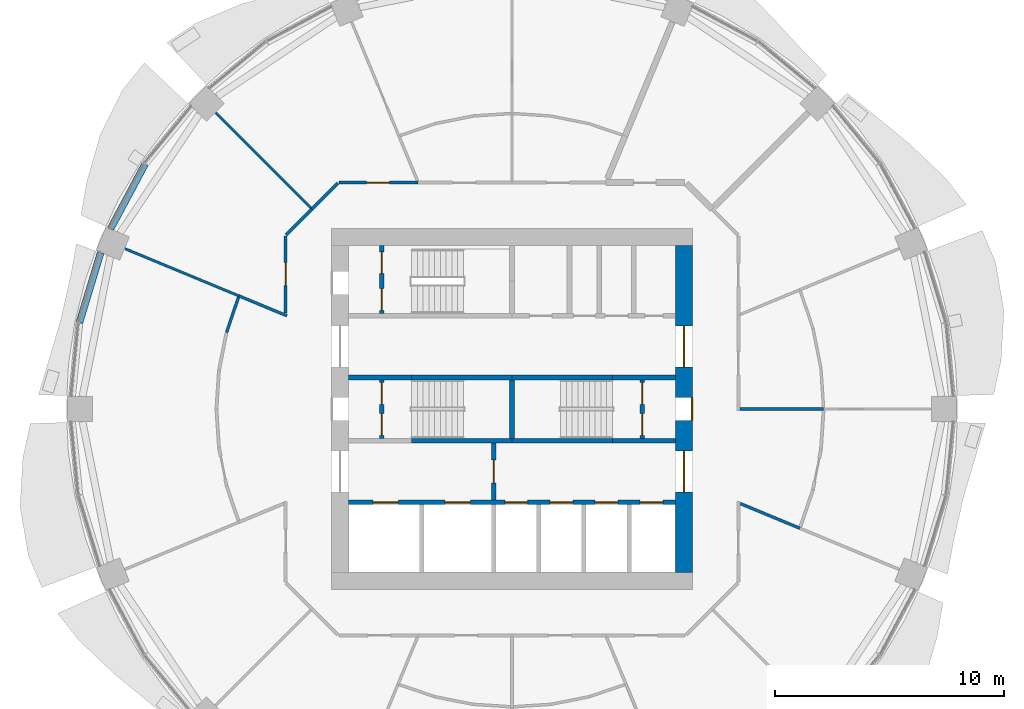
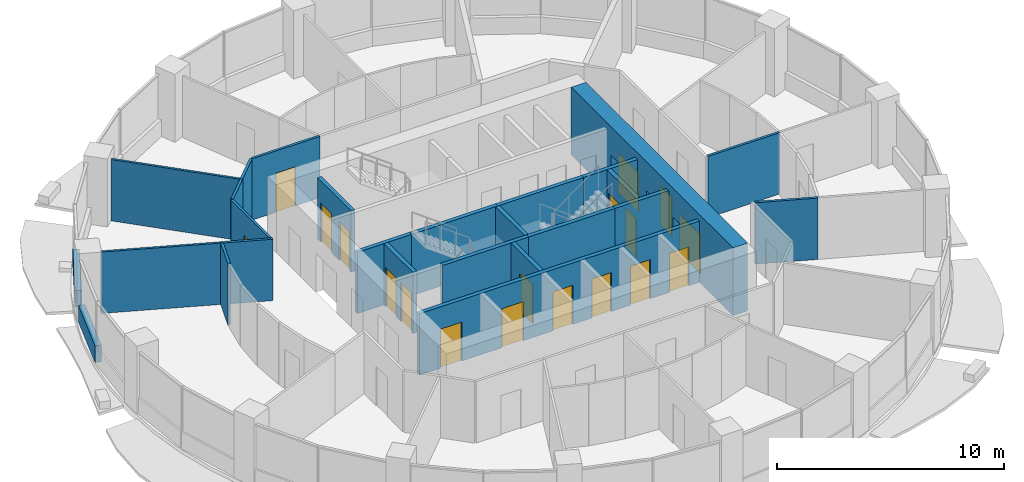
# One storey, part 9 of 15: 26 walls, 18 doors, 18 openings.
"""IFC4 building model written with IfcOpenShell, lengths in metres."""

from ifc_helpers import new_model, si_unit, direction, frame, frame_2d, origin, place, context, subcontext, project, spatial, rectangle, extrude, material, layer, layer_set, type_object, element, fill, save


model = new_model("IFC4")

# Units and contexts
model_context = context("Model", 3, precision=1e-05, world=origin(), true_north=direction((0.0, 1.0)))
body_context = subcontext(model_context, "Body", "Model", "MODEL_VIEW")
ifc_project = project(units=[si_unit("LENGTHUNIT", "METRE"), si_unit("AREAUNIT", "SQUARE_METRE"), si_unit("VOLUMEUNIT", "CUBIC_METRE"), si_unit("PLANEANGLEUNIT", "RADIAN"), si_unit("MASSUNIT", "GRAM", prefix="KILO")], contexts=[model_context])

# Site, building, storey
site_placement = place(None, origin())
site = spatial("IfcSite", under=ifc_project, at=site_placement, CompositionType="ELEMENT")
building_placement = place(site_placement, origin())
building = spatial("IfcBuilding", under=site, at=building_placement, Name="Polderwave Tower", CompositionType="ELEMENT")
storey_placement = place(building_placement, frame((0.0, 0.0, 76.39990234375)))
storey = spatial("IfcBuildingStorey", under=building, at=storey_placement, Name="L19", CompositionType="ELEMENT", Elevation=76.39990234375)

# Wall, openings, doors
ifc_material_1 = material(Name="Concrete C70/85", Category="concrete")
ifc_layer_1 = layer(ifc_material_1, 0.75)
ifc_layer_set_1 = layer_set([ifc_layer_1], Name="CORE WALL 750 C70/85")
wall_type_1 = type_object("IfcWallType", Name="CORE WALL 750 C70/85", PredefinedType="SHEAR", material=ifc_layer_set_1)
wall_1_placement = place(storey_placement, frame((7.4990234375, -7.1240234375, 0.0), z_axis=(0.0, 0.0, 1.0), x_axis=(0.0, 1.0, 0.0)))
wall_1 = element("IfcWall", 1, at=wall_1_placement, inside=storey, type_object=wall_type_1, Name="ST-CORE-L19-E", PredefinedType="SHEAR", context=body_context, shape_type="SweptSolid", body=[
    extrude(rectangle(XDim=14.248046875, YDim=0.75, at=frame_2d((7.1240234375, 0.0))), origin(), (0.0, 0.0, 1.0), 3.650146484375),
])
opening_1_placement = place(wall_1_placement, frame((6.6240234375, 0.0, 0.0)))
opening_1 = element("IfcOpeningElement", 2, at=opening_1_placement, cuts=wall_1, Name="Opening L19-D22", PredefinedType="OPENING", context=body_context, shape_type="SweptSolid", body=[
    extrude(rectangle(XDim=1.0, YDim=2.10009765625, at=frame_2d((0.5, 1.050048828125))), frame((0.0, 0.385009765625, 0.0), z_axis=(0.0, -1.0, 0.0), x_axis=(1.0, 0.0, 0.0)), (0.0, 0.0, 1.0), 0.77001953125),
])
opening_2_placement = place(wall_1_placement, frame((3.49951171875, 0.0, 0.0)))
opening_2 = element("IfcOpeningElement", 3, at=opening_2_placement, cuts=wall_1, Name="Opening L19-D23", PredefinedType="OPENING", context=body_context, shape_type="SweptSolid", body=[
    extrude(rectangle(XDim=1.800048828125, YDim=2.10009765625, at=frame_2d((0.89990234375, 1.050048828125))), frame((0.0, 0.385009765625, 0.0), z_axis=(0.0, -1.0, 0.0), x_axis=(1.0, 0.0, 0.0)), (0.0, 0.0, 1.0), 0.77001953125),
])
opening_3_placement = place(wall_1_placement, frame((8.948486328125, 0.0, 0.0)))
opening_3 = element("IfcOpeningElement", 4, at=opening_3_placement, cuts=wall_1, Name="Opening L19-D24", PredefinedType="OPENING", context=body_context, shape_type="SweptSolid", body=[
    extrude(rectangle(XDim=1.800048828125, YDim=2.10009765625, at=frame_2d((0.89990234375, 1.050048828125))), frame((0.0, 0.385009765625, 0.0), z_axis=(0.0, -1.0, 0.0), x_axis=(1.0, 0.0, 0.0)), (0.0, 0.0, 1.0), 0.77001953125),
])
ifc_material_2 = material(Name="Steel fire door", Category="steel")
door_type_1 = type_object("IfcDoorType", Name="Lobby entry door pair 1800", OperationType="DOUBLE_DOOR_SINGLE_SWING", PredefinedType="DOOR", material=ifc_material_2)
door_1_placement = place(opening_2_placement, frame((1.800048828125, 0.0, 0.0), z_axis=(0.0, 0.0, 1.0), x_axis=(-1.0, 0.0, 0.0)))
door_1 = element("IfcDoor", 5, at=door_1_placement, inside=storey, type_object=door_type_1, Name="South lobby entry door", OperationType="DOUBLE_DOOR_SINGLE_SWING", OverallHeight=2.10009765625, OverallWidth=1.800048828125, PredefinedType="DOOR", context=body_context, shape_type="SweptSolid", body=[
    extrude(rectangle(XDim=1.800048828125, YDim=2.10009765625, at=frame_2d((0.89990234375, 1.050048828125))), frame((0.0, 0.02490234375, 0.0), z_axis=(0.0, -1.0, 0.0), x_axis=(1.0, 0.0, 0.0)), (0.0, 0.0, 1.0), 0.050048828125),
])
fill(opening_2, door_1)
door_2_placement = place(opening_3_placement, frame((1.800048828125, 0.0, 0.0), z_axis=(0.0, 0.0, 1.0), x_axis=(-1.0, 0.0, 0.0)))
door_2 = element("IfcDoor", 6, at=door_2_placement, inside=storey, type_object=door_type_1, Name="North lobby entry door", OperationType="DOUBLE_DOOR_SINGLE_SWING", OverallHeight=2.10009765625, OverallWidth=1.800048828125, PredefinedType="DOOR", context=body_context, shape_type="SweptSolid", body=[
    extrude(rectangle(XDim=1.800048828125, YDim=2.10009765625, at=frame_2d((0.89990234375, 1.050048828125))), frame((0.0, 0.02490234375, 0.0), z_axis=(0.0, -1.0, 0.0), x_axis=(1.0, 0.0, 0.0)), (0.0, 0.0, 1.0), 0.050048828125),
])
fill(opening_3, door_2)
door_type_2 = type_object("IfcDoorType", Name="Stair door 1000", OperationType="NOTDEFINED", PredefinedType="DOOR", material=ifc_material_2)
door_3_placement = place(opening_1_placement, frame((1.0, 0.0, 0.0), z_axis=(0.0, 0.0, 1.0), x_axis=(-1.0, 0.0, 0.0)))
door_3 = element("IfcDoor", 7, at=door_3_placement, inside=storey, type_object=door_type_2, Name="Stair B entry door", OperationType="SINGLE_SWING_LEFT", OverallHeight=2.10009765625, OverallWidth=1.0, PredefinedType="DOOR", context=body_context, shape_type="SweptSolid", body=[
    extrude(rectangle(XDim=1.0, YDim=2.10009765625, at=frame_2d((0.5, 1.050048828125))), frame((0.0, 0.375, 0.0), z_axis=(0.0, -1.0, 0.0), x_axis=(1.0, 0.0, 0.0)), (0.0, 0.0, 1.0), 0.050048828125),
])
fill(opening_1, door_3)

# Walls
ifc_material_3 = material(Name="Concrete C50/60 (board-marked)", Category="concrete")
ifc_layer_2 = layer(ifc_material_3, 0.300048828125)
ifc_layer_set_2 = layer_set([ifc_layer_2], Name="Concrete spandrel upstand C50/60")
wall_type_2 = type_object("IfcWallType", Name="Concrete spandrel upstand C50/60", PredefinedType="SOLIDWALL", material=ifc_layer_set_2)
wall_2_placement = place(storey_placement, frame((-16.004150390625, 10.67578125, 0.0), z_axis=(0.0, 0.0, 1.0), x_axis=(-0.471354692163, -0.8819437364, 0.0)))
element("IfcWall", 8, at=wall_2_placement, inside=storey, type_object=wall_type_2, Name="Spandrel L19 7b", PredefinedType="SOLIDWALL", context=body_context, shape_type="SweptSolid", body=[
    extrude(rectangle(XDim=3.190185546875, YDim=0.300048828125, at=frame_2d((1.59521484375, 0.0))), origin(), (0.0, 0.0, 1.0), 0.900146484375),
])
wall_3_placement = place(storey_placement, frame((-17.939453125, 6.820556640625, 0.0), z_axis=(0.0, 0.0, 1.0), x_axis=(-0.290238876314, -0.956954228099, 0.0)))
element("IfcWall", 9, at=wall_3_placement, inside=storey, type_object=wall_type_2, Name="Spandrel L19 8a", PredefinedType="SOLIDWALL", context=body_context, shape_type="SweptSolid", body=[
    extrude(rectangle(XDim=3.190673828125, YDim=0.300048828125, at=frame_2d((1.59521484375, 0.0))), origin(), (0.0, 0.0, 1.0), 0.900146484375),
])

# Wall, opening, door
ifc_material_4 = material(Name="Gypsum board partition")
ifc_layer_3 = layer(ifc_material_4, 0.199951171875)
ifc_layer_set_3 = layer_set([ifc_layer_3], Name="Core room partition 200")
wall_type_3 = type_object("IfcWallType", Name="Core room partition 200", PredefinedType="PARTITIONING", material=ifc_layer_set_3)
wall_4_placement = place(storey_placement, frame((-0.800048828125, -3.97412109375, 0.0), z_axis=(0.0, 0.0, 1.0), x_axis=(0.0, 1.0, 0.0)))
wall_4 = element("IfcWall", 10, at=wall_4_placement, inside=storey, type_object=wall_type_3, Name="L19 fire-fighting lobby wall", PredefinedType="PARTITIONING", context=body_context, shape_type="SweptSolid", body=[
    extrude(rectangle(XDim=2.4990234375, YDim=0.199951171875, at=frame_2d((1.24951171875, 0.0))), origin(), (0.0, 0.0, 1.0), 3.300048828125),
])
opening_4_placement = place(wall_4_placement, frame((0.74951171875, 0.0, 0.0)))
opening_4 = element("IfcOpeningElement", 11, at=opening_4_placement, cuts=wall_4, Name="Opening L19-D13", PredefinedType="OPENING", context=body_context, shape_type="SweptSolid", body=[
    extrude(rectangle(XDim=1.0, YDim=2.10009765625, at=frame_2d((0.5, 1.050048828125))), frame((0.0, 0.10986328125, 0.0), z_axis=(0.0, -1.0, 0.0), x_axis=(1.0, 0.0, 0.0)), (0.0, 0.0, 1.0), 0.219970703125),
])
door_type_3 = type_object("IfcDoorType", Name="Lobby fire door 1000", OperationType="NOTDEFINED", PredefinedType="DOOR", material=ifc_material_2)
door_4_placement = place(opening_4_placement, frame((1.0, 0.0, 0.0), z_axis=(0.0, 0.0, 1.0), x_axis=(-1.0, 0.0, 0.0)))
door_4 = element("IfcDoor", 12, at=door_4_placement, inside=storey, type_object=door_type_3, Name="Fire-fighting lobby door", OperationType="SINGLE_SWING_LEFT", OverallHeight=2.10009765625, OverallWidth=1.0, PredefinedType="DOOR", context=body_context, shape_type="SweptSolid", body=[
    extrude(rectangle(XDim=1.0, YDim=2.10009765625, at=frame_2d((0.5, 1.050048828125))), frame((0.0, 0.02490234375, 0.0), z_axis=(0.0, -1.0, 0.0), x_axis=(1.0, 0.0, 0.0)), (0.0, 0.0, 1.0), 0.050048828125),
])
fill(opening_4, door_4)

# Wall, openings, doors
wall_5_placement = place(storey_placement, frame((-5.674072265625, -1.27490234375, 0.0), z_axis=(0.0, 0.0, 1.0), x_axis=(0.0, 1.0, 0.0)))
wall_5 = element("IfcWall", 13, at=wall_5_placement, inside=storey, type_object=wall_type_3, Name="L19 smoke lobby wall A", PredefinedType="PARTITIONING", context=body_context, shape_type="SweptSolid", body=[
    extrude(rectangle(XDim=2.5498046875, YDim=0.199951171875, at=frame_2d((1.27490234375, 0.0))), origin(), (0.0, 0.0, 1.0), 3.300048828125),
])
opening_5_placement = place(wall_5_placement, frame((0.125, 0.0, 0.0)))
opening_5 = element("IfcOpeningElement", 14, at=opening_5_placement, cuts=wall_5, Name="Opening L19-D07", PredefinedType="OPENING", context=body_context, shape_type="SweptSolid", body=[
    extrude(rectangle(XDim=0.949951171875, YDim=2.10009765625, at=frame_2d((0.47509765625, 1.050048828125))), frame((0.0, 0.10986328125, 0.0), z_axis=(0.0, -1.0, 0.0), x_axis=(1.0, 0.0, 0.0)), (0.0, 0.0, 1.0), 0.219970703125),
])
opening_6_placement = place(wall_5_placement, frame((1.47509765625, 0.0, 0.0)))
opening_6 = element("IfcOpeningElement", 15, at=opening_6_placement, cuts=wall_5, Name="Opening L19-D08", PredefinedType="OPENING", context=body_context, shape_type="SweptSolid", body=[
    extrude(rectangle(XDim=0.949951171875, YDim=2.10009765625, at=frame_2d((0.47509765625, 1.050048828125))), frame((0.0, 0.10986328125, 0.0), z_axis=(0.0, -1.0, 0.0), x_axis=(1.0, 0.0, 0.0)), (0.0, 0.0, 1.0), 0.219970703125),
])
door_type_4 = type_object("IfcDoorType", Name="Smoke lobby door 950", OperationType="NOTDEFINED", PredefinedType="DOOR", material=ifc_material_2)
door_5_placement = place(opening_5_placement, origin())
door_5 = element("IfcDoor", 16, at=door_5_placement, inside=storey, type_object=door_type_4, Name="Stair A smoke lobby inner door", OperationType="SINGLE_SWING_LEFT", OverallHeight=2.10009765625, OverallWidth=0.949951171875, PredefinedType="DOOR", context=body_context, shape_type="SweptSolid", body=[
    extrude(rectangle(XDim=0.949951171875, YDim=2.10009765625, at=frame_2d((0.47509765625, 1.050048828125))), frame((0.0, 0.02490234375, 0.0), z_axis=(0.0, -1.0, 0.0), x_axis=(1.0, 0.0, 0.0)), (0.0, 0.0, 1.0), 0.050048828125),
])
fill(opening_5, door_5)
door_6_placement = place(opening_6_placement, origin())
door_6 = element("IfcDoor", 17, at=door_6_placement, inside=storey, type_object=door_type_4, Name="Stair A smoke lobby inner door", OperationType="SINGLE_SWING_RIGHT", OverallHeight=2.10009765625, OverallWidth=0.949951171875, PredefinedType="DOOR", context=body_context, shape_type="SweptSolid", body=[
    extrude(rectangle(XDim=0.949951171875, YDim=2.10009765625, at=frame_2d((0.47509765625, 1.050048828125))), frame((0.0, 0.02490234375, 0.0), z_axis=(0.0, -1.0, 0.0), x_axis=(1.0, 0.0, 0.0)), (0.0, 0.0, 1.0), 0.050048828125),
])
fill(opening_6, door_6)

wall_6_placement = place(storey_placement, frame((5.674072265625, -1.27490234375, 0.0), z_axis=(0.0, 0.0, 1.0), x_axis=(0.0, 1.0, 0.0)))
wall_6 = element("IfcWall", 18, at=wall_6_placement, inside=storey, type_object=wall_type_3, Name="L19 smoke lobby wall B", PredefinedType="PARTITIONING", context=body_context, shape_type="SweptSolid", body=[
    extrude(rectangle(XDim=2.5498046875, YDim=0.199951171875, at=frame_2d((1.27490234375, 0.0))), origin(), (0.0, 0.0, 1.0), 3.300048828125),
])
opening_7_placement = place(wall_6_placement, frame((0.125, 0.0, 0.0)))
opening_7 = element("IfcOpeningElement", 19, at=opening_7_placement, cuts=wall_6, Name="Opening L19-D09", PredefinedType="OPENING", context=body_context, shape_type="SweptSolid", body=[
    extrude(rectangle(XDim=0.949951171875, YDim=2.10009765625, at=frame_2d((0.47509765625, 1.050048828125))), frame((0.0, 0.10986328125, 0.0), z_axis=(0.0, -1.0, 0.0), x_axis=(1.0, 0.0, 0.0)), (0.0, 0.0, 1.0), 0.219970703125),
])
opening_8_placement = place(wall_6_placement, frame((1.47509765625, 0.0, 0.0)))
opening_8 = element("IfcOpeningElement", 20, at=opening_8_placement, cuts=wall_6, Name="Opening L19-D10", PredefinedType="OPENING", context=body_context, shape_type="SweptSolid", body=[
    extrude(rectangle(XDim=0.949951171875, YDim=2.10009765625, at=frame_2d((0.47509765625, 1.050048828125))), frame((0.0, 0.10986328125, 0.0), z_axis=(0.0, -1.0, 0.0), x_axis=(1.0, 0.0, 0.0)), (0.0, 0.0, 1.0), 0.219970703125),
])
door_7_placement = place(opening_7_placement, frame((0.949951171875, 0.0, 0.0), z_axis=(0.0, 0.0, 1.0), x_axis=(-1.0, 0.0, 0.0)))
door_7 = element("IfcDoor", 21, at=door_7_placement, inside=storey, type_object=door_type_4, Name="Stair B smoke lobby inner door", OperationType="SINGLE_SWING_RIGHT", OverallHeight=2.10009765625, OverallWidth=0.949951171875, PredefinedType="DOOR", context=body_context, shape_type="SweptSolid", body=[
    extrude(rectangle(XDim=0.949951171875, YDim=2.10009765625, at=frame_2d((0.47509765625, 1.050048828125))), frame((0.0, 0.02490234375, 0.0), z_axis=(0.0, -1.0, 0.0), x_axis=(1.0, 0.0, 0.0)), (0.0, 0.0, 1.0), 0.050048828125),
])
fill(opening_7, door_7)
door_8_placement = place(opening_8_placement, frame((0.949951171875, 0.0, 0.0), z_axis=(0.0, 0.0, 1.0), x_axis=(-1.0, 0.0, 0.0)))
door_8 = element("IfcDoor", 22, at=door_8_placement, inside=storey, type_object=door_type_4, Name="Stair B smoke lobby inner door", OperationType="SINGLE_SWING_LEFT", OverallHeight=2.10009765625, OverallWidth=0.949951171875, PredefinedType="DOOR", context=body_context, shape_type="SweptSolid", body=[
    extrude(rectangle(XDim=0.949951171875, YDim=2.10009765625, at=frame_2d((0.47509765625, 1.050048828125))), frame((0.0, 0.02490234375, 0.0), z_axis=(0.0, -1.0, 0.0), x_axis=(1.0, 0.0, 0.0)), (0.0, 0.0, 1.0), 0.050048828125),
])
fill(opening_8, door_8)

wall_7_placement = place(storey_placement, frame((-5.674072265625, 4.174072265625, 0.0), z_axis=(0.0, 0.0, 1.0), x_axis=(0.0, 1.0, 0.0)))
wall_7 = element("IfcWall", 23, at=wall_7_placement, inside=storey, type_object=wall_type_3, Name="L19 smoke lobby wall C", PredefinedType="PARTITIONING", context=body_context, shape_type="SweptSolid", body=[
    extrude(rectangle(XDim=2.949951171875, YDim=0.199951171875, at=frame_2d((1.47509765625, 0.0))), origin(), (0.0, 0.0, 1.0), 3.300048828125),
])
opening_9_placement = place(wall_7_placement, frame((0.125, 0.0, 0.0)))
opening_9 = element("IfcOpeningElement", 24, at=opening_9_placement, cuts=wall_7, Name="Opening L19-D11", PredefinedType="OPENING", context=body_context, shape_type="SweptSolid", body=[
    extrude(rectangle(XDim=0.949951171875, YDim=2.10009765625, at=frame_2d((0.47509765625, 1.050048828125))), frame((0.0, 0.10986328125, 0.0), z_axis=(0.0, -1.0, 0.0), x_axis=(1.0, 0.0, 0.0)), (0.0, 0.0, 1.0), 0.219970703125),
])
opening_10_placement = place(wall_7_placement, frame((1.72509765625, 0.0, 0.0)))
opening_10 = element("IfcOpeningElement", 25, at=opening_10_placement, cuts=wall_7, Name="Opening L19-D12", PredefinedType="OPENING", context=body_context, shape_type="SweptSolid", body=[
    extrude(rectangle(XDim=0.949951171875, YDim=2.10009765625, at=frame_2d((0.47509765625, 1.050048828125))), frame((0.0, 0.10986328125, 0.0), z_axis=(0.0, -1.0, 0.0), x_axis=(1.0, 0.0, 0.0)), (0.0, 0.0, 1.0), 0.219970703125),
])
door_9_placement = place(opening_9_placement, origin())
door_9 = element("IfcDoor", 26, at=door_9_placement, inside=storey, type_object=door_type_4, Name="Stair C smoke lobby inner door", OperationType="SINGLE_SWING_LEFT", OverallHeight=2.10009765625, OverallWidth=0.949951171875, PredefinedType="DOOR", context=body_context, shape_type="SweptSolid", body=[
    extrude(rectangle(XDim=0.949951171875, YDim=2.10009765625, at=frame_2d((0.47509765625, 1.050048828125))), frame((0.0, 0.02490234375, 0.0), z_axis=(0.0, -1.0, 0.0), x_axis=(1.0, 0.0, 0.0)), (0.0, 0.0, 1.0), 0.050048828125),
])
fill(opening_9, door_9)
door_10_placement = place(opening_10_placement, origin())
door_10 = element("IfcDoor", 27, at=door_10_placement, inside=storey, type_object=door_type_4, Name="Stair C smoke lobby inner door", OperationType="SINGLE_SWING_RIGHT", OverallHeight=2.10009765625, OverallWidth=0.949951171875, PredefinedType="DOOR", context=body_context, shape_type="SweptSolid", body=[
    extrude(rectangle(XDim=0.949951171875, YDim=2.10009765625, at=frame_2d((0.47509765625, 1.050048828125))), frame((0.0, 0.02490234375, 0.0), z_axis=(0.0, -1.0, 0.0), x_axis=(1.0, 0.0, 0.0)), (0.0, 0.0, 1.0), 0.050048828125),
])
fill(opening_10, door_10)

ifc_material_5 = material(Name="Concrete C50/60", Category="concrete")
ifc_layer_4 = layer(ifc_material_5, 0.199951171875)
ifc_layer_set_4 = layer_set([ifc_layer_4], Name="Core web wall 200")
wall_type_4 = type_object("IfcWallType", Name="Core web wall 200", PredefinedType="SHEAR", material=ifc_layer_set_4)
wall_8_placement = place(storey_placement, frame((-7.1240234375, -4.073974609375, 0.0), z_axis=(0.0, 0.0, 1.0), x_axis=(1.0, 0.0, 0.0)))
wall_8 = element("IfcWall", 28, at=wall_8_placement, inside=storey, type_object=wall_type_4, Name="L19 south front wall", PredefinedType="SHEAR", context=body_context, shape_type="SweptSolid", body=[
    extrude(rectangle(XDim=14.248046875, YDim=0.199951171875, at=frame_2d((7.1240234375, 0.0))), origin(), (0.0, 0.0, 1.0), 3.300048828125),
])
opening_11_placement = place(wall_8_placement, frame((1.068603515625, 0.0, 0.0)))
opening_11 = element("IfcOpeningElement", 29, at=opening_11_placement, cuts=wall_8, Name="Opening L19-D01", PredefinedType="OPENING", context=body_context, shape_type="SweptSolid", body=[
    extrude(rectangle(XDim=1.10009765625, YDim=2.10009765625, at=frame_2d((0.550048828125, 1.050048828125))), frame((0.0, 0.10986328125, 0.0), z_axis=(0.0, -1.0, 0.0), x_axis=(1.0, 0.0, 0.0)), (0.0, 0.0, 1.0), 0.219970703125),
])
opening_12_placement = place(wall_8_placement, frame((4.20556640625, 0.0, 0.0)))
opening_12 = element("IfcOpeningElement", 30, at=opening_12_placement, cuts=wall_8, Name="Opening L19-D02", PredefinedType="OPENING", context=body_context, shape_type="SweptSolid", body=[
    extrude(rectangle(XDim=1.10009765625, YDim=2.10009765625, at=frame_2d((0.550048828125, 1.050048828125))), frame((0.0, 0.10986328125, 0.0), z_axis=(0.0, -1.0, 0.0), x_axis=(1.0, 0.0, 0.0)), (0.0, 0.0, 1.0), 0.219970703125),
])
opening_13_placement = place(wall_8_placement, frame((6.80810546875, 0.0, 0.0)))
opening_13 = element("IfcOpeningElement", 31, at=opening_13_placement, cuts=wall_8, Name="Opening L19-D03", PredefinedType="OPENING", context=body_context, shape_type="SweptSolid", body=[
    extrude(rectangle(XDim=1.0, YDim=2.10009765625, at=frame_2d((0.5, 1.050048828125))), frame((0.0, 0.10986328125, 0.0), z_axis=(0.0, -1.0, 0.0), x_axis=(1.0, 0.0, 0.0)), (0.0, 0.0, 1.0), 0.219970703125),
])
opening_14_placement = place(wall_8_placement, frame((8.776611328125, 0.0, 0.0)))
opening_14 = element("IfcOpeningElement", 32, at=opening_14_placement, cuts=wall_8, Name="Opening L19-D04", PredefinedType="OPENING", context=body_context, shape_type="SweptSolid", body=[
    extrude(rectangle(XDim=1.0, YDim=2.10009765625, at=frame_2d((0.5, 1.050048828125))), frame((0.0, 0.10986328125, 0.0), z_axis=(0.0, -1.0, 0.0), x_axis=(1.0, 0.0, 0.0)), (0.0, 0.0, 1.0), 0.219970703125),
])
opening_15_placement = place(wall_8_placement, frame((10.7451171875, 0.0, 0.0)))
opening_15 = element("IfcOpeningElement", 33, at=opening_15_placement, cuts=wall_8, Name="Opening L19-D05", PredefinedType="OPENING", context=body_context, shape_type="SweptSolid", body=[
    extrude(rectangle(XDim=1.0, YDim=2.10009765625, at=frame_2d((0.5, 1.050048828125))), frame((0.0, 0.10986328125, 0.0), z_axis=(0.0, -1.0, 0.0), x_axis=(1.0, 0.0, 0.0)), (0.0, 0.0, 1.0), 0.219970703125),
])
opening_16_placement = place(wall_8_placement, frame((12.7138671875, 0.0, 0.0)))
opening_16 = element("IfcOpeningElement", 34, at=opening_16_placement, cuts=wall_8, Name="Opening L19-D06", PredefinedType="OPENING", context=body_context, shape_type="SweptSolid", body=[
    extrude(rectangle(XDim=1.0, YDim=2.10009765625, at=frame_2d((0.5, 1.050048828125))), frame((0.0, 0.10986328125, 0.0), z_axis=(0.0, -1.0, 0.0), x_axis=(1.0, 0.0, 0.0)), (0.0, 0.0, 1.0), 0.219970703125),
])
ifc_material_6 = material(Name="Stainless steel", Category="steel")
door_type_5 = type_object("IfcDoorType", Name="Fire-fighting lift landing door 1100", OperationType="DOUBLE_DOOR_SLIDING", PredefinedType="DOOR", material=ifc_material_6)
door_11_placement = place(opening_11_placement, origin())
door_11 = element("IfcDoor", 35, at=door_11_placement, inside=storey, type_object=door_type_5, Name="Fire-fighting lift FF1 landing door", OperationType="DOUBLE_DOOR_SLIDING", OverallHeight=2.10009765625, OverallWidth=1.10009765625, PredefinedType="DOOR", context=body_context, shape_type="SweptSolid", body=[
    extrude(rectangle(XDim=1.10009765625, YDim=2.10009765625, at=frame_2d((0.550048828125, 1.050048828125))), frame((0.0, 0.02490234375, 0.0), z_axis=(0.0, -1.0, 0.0), x_axis=(1.0, 0.0, 0.0)), (0.0, 0.0, 1.0), 0.050048828125),
])
fill(opening_11, door_11)
door_12_placement = place(opening_12_placement, origin())
door_12 = element("IfcDoor", 36, at=door_12_placement, inside=storey, type_object=door_type_5, Name="Fire-fighting lift FF2 landing door", OperationType="DOUBLE_DOOR_SLIDING", OverallHeight=2.10009765625, OverallWidth=1.10009765625, PredefinedType="DOOR", context=body_context, shape_type="SweptSolid", body=[
    extrude(rectangle(XDim=1.10009765625, YDim=2.10009765625, at=frame_2d((0.550048828125, 1.050048828125))), frame((0.0, 0.02490234375, 0.0), z_axis=(0.0, -1.0, 0.0), x_axis=(1.0, 0.0, 0.0)), (0.0, 0.0, 1.0), 0.050048828125),
])
fill(opening_12, door_12)
door_type_6 = type_object("IfcDoorType", Name="Lift landing door 1000", OperationType="DOUBLE_DOOR_SLIDING", PredefinedType="DOOR", material=ifc_material_6)
door_13_placement = place(opening_13_placement, origin())
door_13 = element("IfcDoor", 37, at=door_13_placement, inside=storey, type_object=door_type_6, Name="Lift LL1 landing door", OperationType="DOUBLE_DOOR_SLIDING", OverallHeight=2.10009765625, OverallWidth=1.0, PredefinedType="DOOR", context=body_context, shape_type="SweptSolid", body=[
    extrude(rectangle(XDim=1.0, YDim=2.10009765625, at=frame_2d((0.5, 1.050048828125))), frame((0.0, 0.02490234375, 0.0), z_axis=(0.0, -1.0, 0.0), x_axis=(1.0, 0.0, 0.0)), (0.0, 0.0, 1.0), 0.050048828125),
])
fill(opening_13, door_13)
door_14_placement = place(opening_14_placement, origin())
door_14 = element("IfcDoor", 38, at=door_14_placement, inside=storey, type_object=door_type_6, Name="Lift LL2 landing door", OperationType="DOUBLE_DOOR_SLIDING", OverallHeight=2.10009765625, OverallWidth=1.0, PredefinedType="DOOR", context=body_context, shape_type="SweptSolid", body=[
    extrude(rectangle(XDim=1.0, YDim=2.10009765625, at=frame_2d((0.5, 1.050048828125))), frame((0.0, 0.02490234375, 0.0), z_axis=(0.0, -1.0, 0.0), x_axis=(1.0, 0.0, 0.0)), (0.0, 0.0, 1.0), 0.050048828125),
])
fill(opening_14, door_14)
door_15_placement = place(opening_15_placement, origin())
door_15 = element("IfcDoor", 39, at=door_15_placement, inside=storey, type_object=door_type_6, Name="Lift LL3 landing door", OperationType="DOUBLE_DOOR_SLIDING", OverallHeight=2.10009765625, OverallWidth=1.0, PredefinedType="DOOR", context=body_context, shape_type="SweptSolid", body=[
    extrude(rectangle(XDim=1.0, YDim=2.10009765625, at=frame_2d((0.5, 1.050048828125))), frame((0.0, 0.02490234375, 0.0), z_axis=(0.0, -1.0, 0.0), x_axis=(1.0, 0.0, 0.0)), (0.0, 0.0, 1.0), 0.050048828125),
])
fill(opening_15, door_15)
door_16_placement = place(opening_16_placement, origin())
door_16 = element("IfcDoor", 40, at=door_16_placement, inside=storey, type_object=door_type_6, Name="Lift LL4 landing door", OperationType="DOUBLE_DOOR_SLIDING", OverallHeight=2.10009765625, OverallWidth=1.0, PredefinedType="DOOR", context=body_context, shape_type="SweptSolid", body=[
    extrude(rectangle(XDim=1.0, YDim=2.10009765625, at=frame_2d((0.5, 1.050048828125))), frame((0.0, 0.02490234375, 0.0), z_axis=(0.0, -1.0, 0.0), x_axis=(1.0, 0.0, 0.0)), (0.0, 0.0, 1.0), 0.050048828125),
])
fill(opening_16, door_16)

# Walls
for number, where, z_axis, x_axis, name in (
    (41, (-4.3740234375, -1.375, 0.0), (0.0, 0.0, 1.0), (1.0, 0.0, 0.0), "L19 south stair wall 2"),
    (42, (0.0, -1.375, 0.0), (0.0, 0.0, 1.0), (1.0, 0.0, 0.0), "L19 south stair wall 3"),
):
    element("IfcWall", number, at=place(storey_placement, frame(where, z_axis=z_axis, x_axis=x_axis)), inside=storey, type_object=wall_type_4, Name=name, PredefinedType="SHEAR", context=body_context, shape_type="SweptSolid", body=[
        extrude(rectangle(XDim=4.3740234375, YDim=0.199951171875, at=frame_2d((2.18701171875, 0.0))), origin(), (0.0, 0.0, 1.0), 3.300048828125),
    ])
for number, where, z_axis, x_axis, name in (
    (43, (4.3740234375, -1.375, 0.0), (0.0, 0.0, 1.0), (1.0, 0.0, 0.0), "L19 south stair wall 4"),
    (44, (-7.1240234375, 1.375, 0.0), (0.0, 0.0, 1.0), (1.0, 0.0, 0.0), "L19 north stair wall 1"),
):
    element("IfcWall", number, at=place(storey_placement, frame(where, z_axis=z_axis, x_axis=x_axis)), inside=storey, type_object=wall_type_4, Name=name, PredefinedType="SHEAR", context=body_context, shape_type="SweptSolid", body=[
        extrude(rectangle(XDim=2.75, YDim=0.199951171875, at=frame_2d((1.375, 0.0))), origin(), (0.0, 0.0, 1.0), 3.300048828125),
    ])
for number, where, z_axis, x_axis, name in (
    (45, (-4.3740234375, 1.375, 0.0), (0.0, 0.0, 1.0), (1.0, 0.0, 0.0), "L19 north stair wall 2"),
    (46, (0.0, 1.375, 0.0), (0.0, 0.0, 1.0), (1.0, 0.0, 0.0), "L19 north stair wall 3"),
):
    element("IfcWall", number, at=place(storey_placement, frame(where, z_axis=z_axis, x_axis=x_axis)), inside=storey, type_object=wall_type_4, Name=name, PredefinedType="SHEAR", context=body_context, shape_type="SweptSolid", body=[
        extrude(rectangle(XDim=4.3740234375, YDim=0.199951171875, at=frame_2d((2.18701171875, 0.0))), origin(), (0.0, 0.0, 1.0), 3.300048828125),
    ])
wall_9_placement = place(storey_placement, frame((4.3740234375, 1.375, 0.0), z_axis=(0.0, 0.0, 1.0), x_axis=(1.0, 0.0, 0.0)))
element("IfcWall", 47, at=wall_9_placement, inside=storey, type_object=wall_type_4, Name="L19 north stair wall 4", PredefinedType="SHEAR", context=body_context, shape_type="SweptSolid", body=[
    extrude(rectangle(XDim=2.75, YDim=0.199951171875, at=frame_2d((1.375, 0.0))), origin(), (0.0, 0.0, 1.0), 3.300048828125),
])
wall_10_placement = place(storey_placement, frame((0.0, -1.27490234375, 0.0), z_axis=(0.0, 0.0, 1.0), x_axis=(0.0, 1.0, 0.0)))
element("IfcWall", 48, at=wall_10_placement, inside=storey, type_object=wall_type_4, Name="L19 wall between the stairs", PredefinedType="SHEAR", context=body_context, shape_type="SweptSolid", body=[
    extrude(rectangle(XDim=2.5498046875, YDim=0.199951171875, at=frame_2d((1.27490234375, 0.0))), origin(), (0.0, 0.0, 1.0), 3.300048828125),
])
ifc_material_7 = material(Name="Fire-resisting board on steel studs", Category="steel")
ifc_layer_5 = layer(ifc_material_7, 0.125)
ifc_layer_set_5 = layer_set([ifc_layer_5], Name="Corridor wall 125 mm EI 60")
wall_type_5 = type_object("IfcWallType", Name="Corridor wall 125 mm EI 60", PredefinedType="PARTITIONING", material=ifc_layer_set_5)
wall_11_placement = place(storey_placement, frame((-8.722412109375, 8.722412109375, 0.0), z_axis=(0.0, 0.0, 1.0), x_axis=(0.707030604857, 0.70718294931, 0.0)))
element("IfcWall", 49, at=wall_11_placement, inside=storey, type_object=wall_type_5, Name="IN-L19-W010", PredefinedType="PARTITIONING", context=body_context, shape_type="SweptSolid", body=[
    extrude(rectangle(XDim=1.6025390625, YDim=0.125, at=frame_2d((0.80126953125, 0.0))), origin(), (0.0, 0.0, 1.0), 3.300048828125),
])

# Wall, opening, door
wall_12_placement = place(storey_placement, frame((-7.545166015625, 9.8740234375, 0.0), z_axis=(0.0, 0.0, 1.0), x_axis=(1.0, 0.0, 0.0)))
wall_12 = element("IfcWall", 50, at=wall_12_placement, inside=storey, type_object=wall_type_5, Name="IN-L19-W011", PredefinedType="PARTITIONING", context=body_context, shape_type="SweptSolid", body=[
    extrude(rectangle(XDim=3.455322265625, YDim=0.125, at=frame_2d((1.7275390625, 0.0))), origin(), (0.0, 0.0, 1.0), 3.300048828125),
])
opening_17_placement = place(wall_12_placement, frame((1.199951171875, 0.0, 0.0)))
opening_17 = element("IfcOpeningElement", 51, at=opening_17_placement, cuts=wall_12, Name="Opening L19-D56", PredefinedType="OPENING", context=body_context, shape_type="SweptSolid", body=[
    extrude(rectangle(XDim=1.0, YDim=2.10009765625, at=frame_2d((0.5, 1.050048828125))), frame((0.0, 0.072509765625, 0.0), z_axis=(0.0, -1.0, 0.0), x_axis=(1.0, 0.0, 0.0)), (0.0, 0.0, 1.0), 0.14501953125),
])
ifc_material_8 = material(Name="Timber fire door leaf", Category="wood")
door_type_7 = type_object("IfcDoorType", Name="Fire door FD30S 1000 x 2100", OperationType="NOTDEFINED", PredefinedType="DOOR", material=ifc_material_8)
door_17_placement = place(opening_17_placement, origin())
door_17 = element("IfcDoor", 52, at=door_17_placement, inside=storey, type_object=door_type_7, Name="Door L19-D56", OperationType="SINGLE_SWING_LEFT", OverallHeight=2.10009765625, OverallWidth=1.0, PredefinedType="DOOR", context=body_context, shape_type="SweptSolid", body=[
    extrude(rectangle(XDim=1.0, YDim=2.10009765625, at=frame_2d((0.5, 1.050048828125))), frame((0.0, 0.02490234375, 0.0), z_axis=(0.0, -1.0, 0.0), x_axis=(1.0, 0.0, 0.0)), (0.0, 0.0, 1.0), 0.050048828125),
])
fill(opening_17, door_17)

wall_13_placement = place(storey_placement, frame((-9.8740234375, 4.183349609375, 0.0), z_axis=(0.0, 0.0, 1.0), x_axis=(0.0, 1.0, 0.0)))
wall_13 = element("IfcWall", 53, at=wall_13_placement, inside=storey, type_object=wall_type_5, Name="IN-L19-W012", PredefinedType="PARTITIONING", context=body_context, shape_type="SweptSolid", body=[
    extrude(rectangle(XDim=3.36181640625, YDim=0.125, at=frame_2d((1.680908203125, 0.0))), origin(), (0.0, 0.0, 1.0), 3.300048828125),
])
opening_18_placement = place(wall_13_placement, frame((1.199951171875, 0.0, 0.0)))
opening_18 = element("IfcOpeningElement", 54, at=opening_18_placement, cuts=wall_13, Name="Opening L19-D57", PredefinedType="OPENING", context=body_context, shape_type="SweptSolid", body=[
    extrude(rectangle(XDim=1.0, YDim=2.10009765625, at=frame_2d((0.5, 1.050048828125))), frame((0.0, 0.072509765625, 0.0), z_axis=(0.0, -1.0, 0.0), x_axis=(1.0, 0.0, 0.0)), (0.0, 0.0, 1.0), 0.14501953125),
])
door_18_placement = place(opening_18_placement, origin())
door_18 = element("IfcDoor", 55, at=door_18_placement, inside=storey, type_object=door_type_7, Name="Door L19-D57", OperationType="SINGLE_SWING_RIGHT", OverallHeight=2.10009765625, OverallWidth=1.0, PredefinedType="DOOR", context=body_context, shape_type="SweptSolid", body=[
    extrude(rectangle(XDim=1.0, YDim=2.10009765625, at=frame_2d((0.5, 1.050048828125))), frame((0.0, 0.02490234375, 0.0), z_axis=(0.0, -1.0, 0.0), x_axis=(1.0, 0.0, 0.0)), (0.0, 0.0, 1.0), 0.050048828125),
])
fill(opening_18, door_18)

# Walls
wall_14_placement = place(storey_placement, frame((-9.855712890625, 7.58935546875, 0.0), z_axis=(0.0, 0.0, 1.0), x_axis=(0.70718294931, 0.707030604857, 0.0)))
element("IfcWall", 56, at=wall_14_placement, inside=storey, type_object=wall_type_5, Name="IN-L19-W013", PredefinedType="PARTITIONING", context=body_context, shape_type="SweptSolid", body=[
    extrude(rectangle(XDim=1.6025390625, YDim=0.125, at=frame_2d((0.80126953125, 0.0))), origin(), (0.0, 0.0, 1.0), 3.300048828125),
])
wall_15_placement = place(storey_placement, frame((13.590087890625, 0.0, 0.0), z_axis=(0.0, 0.0, 1.0), x_axis=(-1.0, 0.0, 0.0)))
element("IfcWall", 57, at=wall_15_placement, inside=storey, type_object=wall_type_5, Name="IN-L19-W026", PredefinedType="PARTITIONING", context=body_context, shape_type="SweptSolid", body=[
    extrude(rectangle(XDim=3.653564453125, YDim=0.125, at=frame_2d((1.82666015625, 0.0))), origin(), (0.0, 0.0, 1.0), 3.300048828125),
])
wall_16_placement = place(storey_placement, frame((-9.81640625, 4.06591796875, 0.0), z_axis=(0.0, 0.0, 1.0), x_axis=(-0.923834180818, 0.382792902694, 0.0)))
element("IfcWall", 58, at=wall_16_placement, inside=storey, type_object=wall_type_5, Name="IN-L19-W043", PredefinedType="PARTITIONING", context=body_context, shape_type="SweptSolid", body=[
    extrude(rectangle(XDim=2.264892578125, YDim=0.125, at=frame_2d((1.13232421875, 0.0))), origin(), (0.0, 0.0, 1.0), 3.300048828125),
])
wall_17_placement = place(storey_placement, frame((-12.449462890625, 3.340087890625, 0.0), z_axis=(0.0, 0.0, 1.0), x_axis=(0.321347174615, 0.946961452947, 0.0)))
element("IfcWall", 59, at=wall_17_placement, inside=storey, type_object=wall_type_5, Name="IN-L19-W049", PredefinedType="PARTITIONING", context=body_context, shape_type="SweptSolid", body=[
    extrude(rectangle(XDim=1.615234375, YDim=0.125, at=frame_2d((0.8076171875, 0.0))), origin(), (0.0, 0.0, 1.0), 3.300048828125),
])
wall_18_placement = place(storey_placement, frame((9.96044921875, -4.125732421875, 0.0), z_axis=(0.0, 0.0, 1.0), x_axis=(0.923869574034, -0.382707473372, 0.0)))
element("IfcWall", 60, at=wall_18_placement, inside=storey, type_object=wall_type_5, Name="IN-L19-W067", PredefinedType="PARTITIONING", context=body_context, shape_type="SweptSolid", body=[
    extrude(rectangle(XDim=2.808837890625, YDim=0.125, at=frame_2d((1.404296875, 0.0))), origin(), (0.0, 0.0, 1.0), 3.300048828125),
])
ifc_material_9 = material(Name="Acoustic double plasterboard on steel studs", Category="steel")
ifc_layer_6 = layer(ifc_material_9, 0.110107421875)
ifc_layer_set_6 = layer_set([ifc_layer_6], Name="Partition 110 mm acoustic double board")
wall_type_6 = type_object("IfcWallType", Name="Partition 110 mm acoustic double board", PredefinedType="PARTITIONING", material=ifc_layer_set_6)
wall_19_placement = place(storey_placement, frame((-8.7666015625, 8.7666015625, 0.0), z_axis=(0.0, 0.0, 1.0), x_axis=(-0.707106781187, 0.707106781187, 0.0)))
element("IfcWall", 61, at=wall_19_placement, inside=storey, type_object=wall_type_6, Name="IN-L19-W042", PredefinedType="PARTITIONING", context=body_context, shape_type="SweptSolid", body=[
    extrude(rectangle(XDim=5.8623046875, YDim=0.110107421875, at=frame_2d((2.93115234375, 0.0))), origin(), (0.0, 0.0, 1.0), 3.300048828125),
])
wall_20_placement = place(storey_placement, frame((-11.90869140625, 4.932861328125, 0.0), z_axis=(0.0, 0.0, 1.0), x_axis=(-0.923889947991, 0.382658286204, 0.0)))
element("IfcWall", 62, at=wall_20_placement, inside=storey, type_object=wall_type_6, Name="IN-L19-W044", PredefinedType="PARTITIONING", context=body_context, shape_type="SweptSolid", body=[
    extrude(rectangle(XDim=5.3701171875, YDim=0.110107421875, at=frame_2d((2.68505859375, 0.0))), origin(), (0.0, 0.0, 1.0), 3.300048828125),
])

save(model, "model.ifc")
